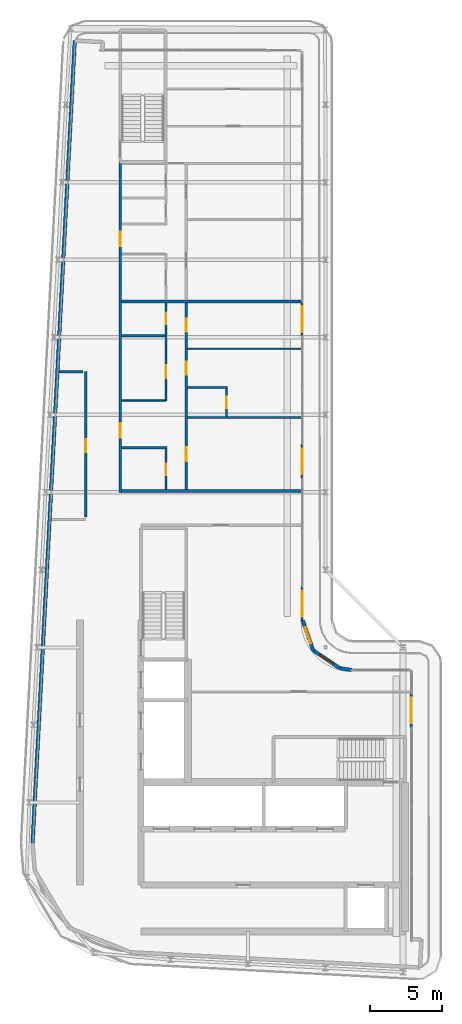
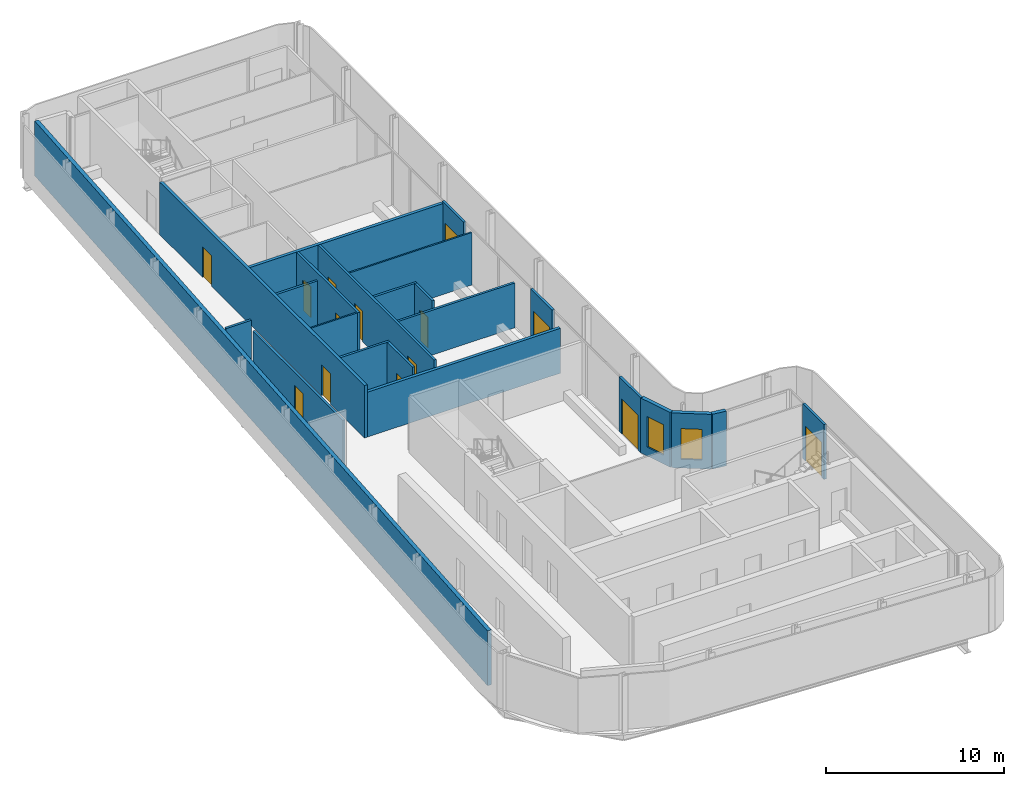
# One storey, part 10 of 17: 23 walls, 14 doors, 2 windows, 16 openings.
"""IFC4 building model written with IfcOpenShell, lengths in metres."""

import ifcopenshell
import ifcopenshell.guid

model = None  # the IFC model being written
_history = None  # IfcOwnerHistory: only IFC2X3 demands one
_inside = {}  # id of a spatial element -> (the spatial element, [elements in it])
_under = {}  # id of a project, library or spatial element -> (it, [spatial elements below it])
_declared = {}  # id of a project -> (the project, [libraries it declares])
_typed = {}  # id of a type object -> (the type object, [elements of that type])
_made_of = {}  # id of a material, layer set ... -> (it, [elements and type objects made of it])


def new_model(schema):
    """Start an empty IFC model of exactly this schema.

    Asked for "IFC4X3", IfcOpenShell would pick the latest addendum, in which some entities
    have other attributes; the version numbers below select the first issue.
    IFC2X3 requires an IfcOwnerHistory on every rooted entity: one is made here for all.
    """
    global model, _history
    if schema == "IFC4X3":
        model = ifcopenshell.file(schema_version=(4, 3, 0, 0))
    else:
        model = ifcopenshell.file(schema=schema)
    _inside.clear()
    _under.clear()
    _declared.clear()
    _typed.clear()
    _made_of.clear()
    _history = None
    if model.schema == "IFC2X3":
        org = make("IfcOrganization", Name="unknown")
        user = make(
            "IfcPersonAndOrganization",
            ThePerson=make("IfcPerson", FamilyName="unknown"),
            TheOrganization=org,
        )
        app = make(
            "IfcApplication",
            ApplicationDeveloper=org,
            Version="unknown",
            ApplicationFullName="unknown",
            ApplicationIdentifier="unknown",
        )
        _history = make(
            "IfcOwnerHistory",
            OwningUser=user,
            OwningApplication=app,
            ChangeAction="ADDED",
            CreationDate=0,
        )
    return model


def make(cls, **values):
    """One entity of the class cls with the attributes given. An attribute that is None is left unset."""
    return model.create_entity(
        cls, **{name: value for name, value in values.items() if value is not None}
    )


def rooted(cls, **values):
    """An entity with a GlobalId (a new one), such as an element, a storey or a relation."""
    return make(cls, GlobalId=ifcopenshell.guid.new(), OwnerHistory=_history, **values)


def si_unit(unit_type, name, prefix=None):
    """IfcSIUnit, for example si_unit("LENGTHUNIT", "METRE", prefix="MILLI")."""
    return make("IfcSIUnit", UnitType=unit_type, Prefix=prefix, Name=name)


def assignment(units):
    """IfcUnitAssignment: the units of a project."""
    return None if units is None else make("IfcUnitAssignment", Units=units)


def point(xyz):
    """IfcCartesianPoint."""
    return None if xyz is None else make("IfcCartesianPoint", Coordinates=xyz)


def direction(xyz):
    """IfcDirection."""
    return None if xyz is None else make("IfcDirection", DirectionRatios=xyz)


def frame(location, z_axis=None, x_axis=None):
    """IfcAxis2Placement3D, a coordinate frame: its origin and axes. An axis left out is left unset."""
    return make(
        "IfcAxis2Placement3D",
        Location=point(location),
        Axis=direction(z_axis),
        RefDirection=direction(x_axis),
    )


def frame_2d(location, x_axis=None):
    """IfcAxis2Placement2D, a coordinate frame in the plane: its origin and x axis."""
    return make(
        "IfcAxis2Placement2D", Location=point(location), RefDirection=direction(x_axis)
    )


def origin():
    """The frame at (0, 0, 0) with its axes left unset."""
    return frame((0.0, 0.0, 0.0))


def place(relative_to, where):
    """IfcLocalPlacement: puts the frame where relative to a parent placement (None: the world)."""
    return make(
        "IfcLocalPlacement", PlacementRelTo=relative_to, RelativePlacement=where
    )


def context(
    kind, dimensions, precision=None, world=None, true_north=None, identifier=None
):
    """IfcGeometricRepresentationContext, for example the 3D "Model" context."""
    return make(
        "IfcGeometricRepresentationContext",
        ContextIdentifier=identifier,
        ContextType=kind,
        CoordinateSpaceDimension=dimensions,
        Precision=precision,
        WorldCoordinateSystem=world,
        TrueNorth=true_north,
    )


def subcontext(parent, identifier, kind, view, scale=None):
    """IfcGeometricRepresentationSubContext, for example "Body" below "Model"."""
    return make(
        "IfcGeometricRepresentationSubContext",
        ContextIdentifier=identifier,
        ContextType=kind,
        ParentContext=parent,
        TargetScale=scale,
        TargetView=view,
    )


def project(units=None, contexts=None):
    """IfcProject with its units and contexts."""
    return rooted(
        "IfcProject",
        Name="project",
        RepresentationContexts=contexts,
        UnitsInContext=assignment(units),
    )


def spatial(cls, under=None, at=None, **own):
    """A site, building, storey or space (cls), placed at a placement, below another one or the project."""
    s = rooted(cls, ObjectPlacement=at, **own)
    if under is not None:
        _under.setdefault(under.id(), (under, []))[1].append(s)
    return s


def profile(cls, at=None, kind="AREA", **sizes):
    """A parametric profile (cls). Its sizes go by their IFC names, for example OverallWidth=200.0."""
    return make(cls, ProfileType=kind, Position=at, **sizes)


def rectangle(**sizes):
    """IfcRectangleProfileDef."""
    return profile("IfcRectangleProfileDef", **sizes)


def extrude(swept, where, along, depth):
    """IfcExtrudedAreaSolid: the profile swept, set in the frame where, extruded along a direction by depth."""
    return make(
        "IfcExtrudedAreaSolid",
        SweptArea=swept,
        Position=where,
        ExtrudedDirection=direction(along),
        Depth=depth,
    )


def shape(context_of_items, identifier, shape_type, items):
    """IfcShapeRepresentation: the items that make up one representation, for example the "Body"."""
    return make(
        "IfcShapeRepresentation",
        ContextOfItems=context_of_items,
        RepresentationIdentifier=identifier,
        RepresentationType=shape_type,
        Items=items,
    )


def source(mapping_origin, context_of_items, identifier, shape_type, items):
    """IfcRepresentationMap: a shape defined once, which mapped items show again and again."""
    return make(
        "IfcRepresentationMap",
        MappingOrigin=mapping_origin,
        MappedRepresentation=shape(context_of_items, identifier, shape_type, items),
    )


def transform(
    local_origin,
    x_axis=None,
    y_axis=None,
    z_axis=None,
    scale=None,
    scale2=None,
    scale3=None,
    uniform=True,
):
    """IfcCartesianTransformationOperator3D, or its non-uniform kind. x_axis, y_axis, z_axis: its Axis1, 2, 3."""
    if uniform:
        return make(
            "IfcCartesianTransformationOperator3D",
            Axis1=direction(x_axis),
            Axis2=direction(y_axis),
            LocalOrigin=point(local_origin),
            Scale=scale,
            Axis3=direction(z_axis),
        )
    return make(
        "IfcCartesianTransformationOperator3DnonUniform",
        Axis1=direction(x_axis),
        Axis2=direction(y_axis),
        LocalOrigin=point(local_origin),
        Scale=scale,
        Axis3=direction(z_axis),
        Scale2=scale2,
        Scale3=scale3,
    )


def mapped(mapping_source, mapping_target):
    """IfcMappedItem: shows the shape of a source again, moved by a transform."""
    return make(
        "IfcMappedItem", MappingSource=mapping_source, MappingTarget=mapping_target
    )


def material(Name=None, Category=None):
    """IfcMaterial."""
    return make("IfcMaterial", Name=Name, Category=Category)


def layer(
    of_material, thickness, ventilated=None, Name=None, Category=None, Priority=None
):
    """IfcMaterialLayer: one layer of a wall or slab, of a material (None: an air gap)."""
    return make(
        "IfcMaterialLayer",
        Material=of_material,
        LayerThickness=thickness,
        IsVentilated=ventilated,
        Name=Name,
        Category=Category,
        Priority=Priority,
    )


def layer_set(layers, Name=None):
    """IfcMaterialLayerSet."""
    return make("IfcMaterialLayerSet", MaterialLayers=layers, LayerSetName=Name)


def made_of(thing, what):
    """Note that an element or type object is made of a material, layer set ...; save() writes the relation."""
    if what is not None:
        _made_of.setdefault(what.id(), (what, []))[1].append(thing)
    return thing


def type_object(cls, material=None, **own):
    """A type object (cls), such as IfcWallType, which elements share."""
    return made_of(rooted(cls, **own), material)


def element(
    cls,
    number,
    at=None,
    inside=None,
    cuts=None,
    type_object=None,
    material=None,
    context=None,
    identifier="Body",
    shape_type=None,
    held_by="IfcProductDefinitionShape",
    body=None,
    shapes=None,
    **own,
):
    """One element of the class cls, such as IfcWall. Its Tag is "e" and its number.

    at: its placement. inside: the storey or other place that contains it. cuts: it is an
    opening in that element (IfcRelVoidsElement). A single representation is given by context,
    identifier, shape_type and body (its items); several are given by shapes. held_by: the class
    of the entity that holds the representations. save() writes the other relations.
    """
    e = rooted(cls, Tag="e%d" % number, ObjectPlacement=at, **own)
    if body is not None:
        shapes = [shape(context, identifier, shape_type, body)]
    if shapes is not None:
        e.Representation = make(held_by, Representations=shapes)
    if inside is not None:
        _inside.setdefault(inside.id(), (inside, []))[1].append(e)
    if cuts is not None:
        rooted(
            "IfcRelVoidsElement", RelatingBuildingElement=cuts, RelatedOpeningElement=e
        )
    if type_object is not None:
        _typed.setdefault(type_object.id(), (type_object, []))[1].append(e)
    return made_of(e, material)


def fill(opening, filler):
    """IfcRelFillsElement: the door or window that sits in an opening."""
    return rooted(
        "IfcRelFillsElement",
        RelatingOpeningElement=opening,
        RelatedBuildingElement=filler,
    )


def aggregate(whole, parts):
    """IfcRelAggregates: a whole, such as a stair, and the parts it consists of."""
    return rooted("IfcRelAggregates", RelatingObject=whole, RelatedObjects=parts)


def save(model, path):
    """Write the relations noted so far, then the file.

    IfcRelAggregates (storeys below a building ...), IfcRelContainedInSpatialStructure (elements
    in a storey), IfcRelDefinesByType, IfcRelAssociatesMaterial and IfcRelDeclares: one each for
    every whole, place, type object, material and project.
    """
    for whole, parts in _under.values():
        aggregate(whole, parts)
    for where, things in _inside.values():
        rooted(
            "IfcRelContainedInSpatialStructure",
            RelatedElements=things,
            RelatingStructure=where,
        )
    for kind, things in _typed.values():
        rooted("IfcRelDefinesByType", RelatedObjects=things, RelatingType=kind)
    for what, things in _made_of.values():
        rooted("IfcRelAssociatesMaterial", RelatedObjects=things, RelatingMaterial=what)
    for by, libraries in _declared.values():
        rooted("IfcRelDeclares", RelatingContext=by, RelatedDefinitions=libraries)
    model.write(path)


model = new_model("IFC4")

# Units and contexts
model_context = context("Model", 3, precision=1e-05, world=origin(), true_north=direction((0.0, 1.0)))
body_context = subcontext(model_context, "Body", "Model", "MODEL_VIEW")
ifc_project = project(units=[si_unit("LENGTHUNIT", "METRE"), si_unit("AREAUNIT", "SQUARE_METRE"), si_unit("VOLUMEUNIT", "CUBIC_METRE"), si_unit("PLANEANGLEUNIT", "RADIAN"), si_unit("MASSUNIT", "GRAM", prefix="KILO")], contexts=[model_context])

# Site, building, storey
site_placement = place(None, origin())
site = spatial("IfcSite", under=ifc_project, at=site_placement, CompositionType="ELEMENT")
building_placement = place(site_placement, origin())
building = spatial("IfcBuilding", under=site, at=building_placement, Name="Kheshtan School and Residences Tower", CompositionType="ELEMENT")
storey_placement = place(building_placement, frame((0.0, 0.0, 342.199951171875)))
storey = spatial("IfcBuildingStorey", under=building, at=storey_placement, Name="L80", CompositionType="ELEMENT", Elevation=342.199951171875)

# Wall, openings, doors
ifc_material_1 = material(Name="Gypsum board on steel studs with fire boards", Category="steel")
ifc_layer_1 = layer(ifc_material_1, 0.199951171875)
ifc_layer_set_1 = layer_set([ifc_layer_1], Name="Corridor wall 200")
wall_type_1 = type_object("IfcWallType", Name="Corridor wall 200", PredefinedType="PARTITIONING", material=ifc_layer_set_1)
wall_1_placement = place(storey_placement, frame((33.300048828125, 56.39990234375, 0.0), z_axis=(0.0, 0.0, 1.0), x_axis=(0.0, 1.0, 0.0)))
wall_1 = element("IfcWall", 1, at=wall_1_placement, inside=storey, type_object=wall_type_1, Name="Partition L80-001", PredefinedType="PARTITIONING", context=body_context, shape_type="SweptSolid", body=[
    extrude(rectangle(XDim=22.97509765625, YDim=0.199951171875, at=frame_2d((11.487548828125, 0.0))), origin(), (0.0, 0.0, 1.0), 3.60009765625),
])
opening_1_placement = place(wall_1_placement, frame((3.800048828125, 0.0, 0.0)))
opening_1 = element("IfcOpeningElement", 2, at=opening_1_placement, cuts=wall_1, Name="Opening D79-004", PredefinedType="OPENING", context=body_context, shape_type="SweptSolid", body=[
    extrude(rectangle(XDim=1.0, YDim=2.10009765625, at=frame_2d((0.5, 1.050048828125))), frame((0.0, 0.10986328125, 0.0), z_axis=(0.0, -1.0, 0.0), x_axis=(1.0, 0.0, 0.0)), (0.0, 0.0, 1.0), 0.219970703125),
])
opening_2_placement = place(wall_1_placement, frame((17.14990234375, 0.0, 0.0)))
opening_2 = element("IfcOpeningElement", 3, at=opening_2_placement, cuts=wall_1, Name="Opening D79-011", PredefinedType="OPENING", context=body_context, shape_type="SweptSolid", body=[
    extrude(rectangle(XDim=1.0, YDim=2.10009765625, at=frame_2d((0.5, 1.050048828125))), frame((0.0, 0.10986328125, 0.0), z_axis=(0.0, -1.0, 0.0), x_axis=(1.0, 0.0, 0.0)), (0.0, 0.0, 1.0), 0.219970703125),
])
ifc_material_2 = material(Name="Steel-framed fire-resisting door leaf", Category="steel")
door_type_1 = type_object("IfcDoorType", Name="Fire door FD30S 1000 x 2100", OperationType="SINGLE_SWING_LEFT", PredefinedType="DOOR", material=ifc_material_2)
shared_shape_1 = source(origin(), body_context, "Body", "SweptSolid", [
    extrude(rectangle(XDim=1.0, YDim=2.10009765625, at=frame_2d((0.5, 1.050048828125))), frame((0.0, 0.02490234375, 0.0), z_axis=(0.0, -1.0, 0.0), x_axis=(1.0, 0.0, 0.0)), (0.0, 0.0, 1.0), 0.050048828125),
])
door_1_placement = place(opening_1_placement, origin())
door_1 = element("IfcDoor", 4, at=door_1_placement, inside=storey, type_object=door_type_1, Name="Door D79-004", OperationType="SINGLE_SWING_RIGHT", OverallHeight=2.10009765625, OverallWidth=1.0, PredefinedType="DOOR", context=body_context, shape_type="MappedRepresentation", body=[
    mapped(shared_shape_1, transform((0.0, 0.0, 0.0), x_axis=(1.0, 0.0, 0.0), y_axis=(0.0, 1.0, 0.0), z_axis=(0.0, 0.0, 1.0), scale=1.0)),
])
fill(opening_1, door_1)
door_2_placement = place(opening_2_placement, origin())
door_2 = element("IfcDoor", 5, at=door_2_placement, inside=storey, type_object=door_type_1, Name="Door D79-011", OperationType="SINGLE_SWING_LEFT", OverallHeight=2.10009765625, OverallWidth=1.0, PredefinedType="DOOR", context=body_context, shape_type="MappedRepresentation", body=[
    mapped(shared_shape_1, transform((0.0, 0.0, 0.0), x_axis=(1.0, 0.0, 0.0), y_axis=(0.0, 1.0, 0.0), z_axis=(0.0, 0.0, 1.0), scale=1.0)),
])
fill(opening_2, door_2)

# Wall
wall_2_placement = place(storey_placement, frame((33.39990234375, 56.5, 0.0), z_axis=(0.0, 0.0, 1.0), x_axis=(1.0, 0.0, 0.0)))
element("IfcWall", 6, at=wall_2_placement, inside=storey, type_object=wall_type_1, Name="Partition L80-002", PredefinedType="PARTITIONING", context=body_context, shape_type="SweptSolid", body=[
    extrude(rectangle(XDim=12.5, YDim=0.199951171875, at=frame_2d((6.25, 0.0))), origin(), (0.0, 0.0, 1.0), 3.072021484375),
])

# Wall, opening, window
ifc_material_3 = material(Name="Concrete C40/50 with ceramic cladding and mineral wool insulation", Category="concrete")
ifc_layer_2 = layer(ifc_material_3, 0.25)
ifc_layer_set_2 = layer_set([ifc_layer_2], Name="External wall 250 ceramic clad")
wall_type_2 = type_object("IfcWallType", Name="External wall 250 ceramic clad", PredefinedType="SOLIDWALL", material=ifc_layer_set_2)
wall_3_placement = place(storey_placement, frame((46.01806640625, 47.470947265625, 0.0), z_axis=(0.0, 0.0, 1.0), x_axis=(0.328791208903, -0.944402637093, 0.0)))
wall_3 = element("IfcWall", 7, at=wall_3_placement, inside=storey, type_object=wall_type_2, Name="External wall L80 5", PredefinedType="SOLIDWALL", context=body_context, shape_type="SweptSolid", body=[
    extrude(rectangle(XDim=2.20458984375, YDim=0.25, at=frame_2d((1.102294921875, 0.0))), origin(), (0.0, 0.0, 1.0), 3.75),
])
opening_3_placement = place(wall_3_placement, frame((0.5029296875, 0.0, 0.60009765625)))
opening_3 = element("IfcOpeningElement", 8, at=opening_3_placement, cuts=wall_3, Name="Opening WN-E", PredefinedType="OPENING", context=body_context, shape_type="SweptSolid", body=[
    extrude(rectangle(XDim=1.199951171875, YDim=2.10009765625, at=frame_2d((0.60009765625, 1.050048828125))), frame((0.0, 0.135009765625, 0.0), z_axis=(0.0, -1.0, 0.0), x_axis=(1.0, 0.0, 0.0)), (0.0, 0.0, 1.0), 0.27001953125),
])
ifc_material_4 = material(Name="Clear low-e glass in thermally broken aluminium frame", Category="aluminium")
window_type = type_object("IfcWindowType", Name="Window WN-E", PartitioningType="SINGLE_PANEL", PredefinedType="WINDOW", material=ifc_material_4)
shared_shape_2 = source(origin(), body_context, "Body", "SweptSolid", [
    extrude(rectangle(XDim=1.199951171875, YDim=2.10009765625, at=frame_2d((0.60009765625, 1.050048828125))), frame((0.0, 0.030029296875, 0.0), z_axis=(0.0, -1.0, 0.0), x_axis=(1.0, 0.0, 0.0)), (0.0, 0.0, 1.0), 0.06005859375),
])
window_1_placement = place(opening_3_placement, origin())
window_1 = element("IfcWindow", 9, at=window_1_placement, inside=storey, type_object=window_type, Name="Window L80 5", OverallHeight=2.10009765625, OverallWidth=1.199951171875, PartitioningType="SINGLE_PANEL", PredefinedType="WINDOW", context=body_context, shape_type="MappedRepresentation", body=[
    mapped(shared_shape_2, transform((0.0, 0.0, 0.0), x_axis=(1.0, 0.0, 0.0), y_axis=(0.0, 1.0, 0.0), z_axis=(0.0, 0.0, 1.0), scale=1.0)),
])
fill(opening_3, window_1)

wall_4_placement = place(storey_placement, frame((46.742919921875, 45.388916015625, 0.0), z_axis=(0.0, 0.0, 1.0), x_axis=(0.831449265529, -0.555600682912, 0.0)))
wall_4 = element("IfcWall", 10, at=wall_4_placement, inside=storey, type_object=wall_type_2, Name="External wall L80 6", PredefinedType="SOLIDWALL", context=body_context, shape_type="SweptSolid", body=[
    extrude(rectangle(XDim=2.25146484375, YDim=0.25, at=frame_2d((1.125732421875, 0.0))), origin(), (0.0, 0.0, 1.0), 3.75),
])
opening_4_placement = place(wall_4_placement, frame((0.52490234375, 0.0, 0.60009765625)))
opening_4 = element("IfcOpeningElement", 11, at=opening_4_placement, cuts=wall_4, Name="Opening WN-E", PredefinedType="OPENING", context=body_context, shape_type="SweptSolid", body=[
    extrude(rectangle(XDim=1.199951171875, YDim=2.10009765625, at=frame_2d((0.60009765625, 1.050048828125))), frame((0.0, 0.135009765625, 0.0), z_axis=(0.0, -1.0, 0.0), x_axis=(1.0, 0.0, 0.0)), (0.0, 0.0, 1.0), 0.27001953125),
])
window_2_placement = place(opening_4_placement, origin())
window_2 = element("IfcWindow", 12, at=window_2_placement, inside=storey, type_object=window_type, Name="Window L80 6", OverallHeight=2.10009765625, OverallWidth=1.199951171875, PartitioningType="SINGLE_PANEL", PredefinedType="WINDOW", context=body_context, shape_type="MappedRepresentation", body=[
    mapped(shared_shape_2, transform((0.0, 0.0, 0.0), x_axis=(1.0, 0.0, 0.0), y_axis=(0.0, 1.0, 0.0), z_axis=(0.0, 0.0, 1.0), scale=1.0)),
])
fill(opening_4, window_2)

# Walls
wall_5_placement = place(storey_placement, frame((48.614990234375, 44.137939453125, 0.0), z_axis=(0.0, 0.0, 1.0), x_axis=(0.990741504246, -0.135761819977, 0.0)))
element("IfcWall", 13, at=wall_5_placement, inside=storey, type_object=wall_type_2, Name="External wall L80 7", PredefinedType="SOLIDWALL", context=body_context, shape_type="SweptSolid", body=[
    extrude(rectangle(XDim=0.83984375, YDim=0.25, at=frame_2d((0.419921875, 0.0))), origin(), (0.0, 0.0, 1.0), 3.75),
])
wall_6_placement = place(storey_placement, frame((27.195068359375, 31.968994140625, 0.0), z_axis=(0.0, 0.0, 1.0), x_axis=(0.052559748861, 0.998617781135, 0.0)))
element("IfcWall", 14, at=wall_6_placement, inside=storey, type_object=wall_type_2, Name="External wall L80 16", PredefinedType="SOLIDWALL", context=body_context, shape_type="SweptSolid", body=[
    extrude(rectangle(XDim=55.972412109375, YDim=0.25, at=frame_2d((27.986328125, 0.0))), origin(), (0.0, 0.0, 1.0), 3.75),
])

# Wall, opening, door
ifc_material_5 = material(Name="Aluminium frame wall with insulated infill", Category="aluminium")
ifc_layer_3 = layer(ifc_material_5, 0.14990234375)
ifc_layer_set_3 = layer_set([ifc_layer_3], Name="Glazing frame wall 150")
wall_type_3 = type_object("IfcWallType", Name="Glazing frame wall 150", PredefinedType="SOLIDWALL", material=ifc_layer_set_3)
wall_7_placement = place(storey_placement, frame((45.97509765625, 69.6650390625, 0.0), z_axis=(0.0, 0.0, 1.0), x_axis=(0.0, -1.0, 0.0)))
wall_7 = element("IfcWall", 15, at=wall_7_placement, inside=storey, type_object=wall_type_3, Name="Balcony door wall L80 4.2", PredefinedType="SOLIDWALL", context=body_context, shape_type="SweptSolid", body=[
    extrude(rectangle(XDim=2.400146484375, YDim=0.14990234375, at=frame_2d((1.2001953125, 0.0))), origin(), (0.0, 0.0, 1.0), 3.75),
])
opening_5_placement = place(wall_7_placement, frame((0.300048828125, 0.0, 0.0)))
opening_5 = element("IfcOpeningElement", 16, at=opening_5_placement, cuts=wall_7, Name="Opening BD", PredefinedType="OPENING", context=body_context, shape_type="SweptSolid", body=[
    extrude(rectangle(XDim=1.800048828125, YDim=2.39990234375, at=frame_2d((0.89990234375, 1.199951171875))), frame((0.0, 0.0849609375, 0.0), z_axis=(0.0, -1.0, 0.0), x_axis=(1.0, 0.0, 0.0)), (0.0, 0.0, 1.0), 0.169921875),
])
door_type_2 = type_object("IfcDoorType", Name="Balcony sliding door", OperationType="SLIDING_TO_LEFT", PredefinedType="DOOR", material=ifc_material_4)
shared_shape_3 = source(origin(), body_context, "Body", "SweptSolid", [
    extrude(rectangle(XDim=1.800048828125, YDim=2.39990234375, at=frame_2d((0.89990234375, 1.199951171875))), frame((0.0, 0.02490234375, 0.0), z_axis=(0.0, -1.0, 0.0), x_axis=(1.0, 0.0, 0.0)), (0.0, 0.0, 1.0), 0.050048828125),
])
door_3_placement = place(opening_5_placement, origin())
door_3 = element("IfcDoor", 17, at=door_3_placement, inside=storey, type_object=door_type_2, Name="Balcony door L80 4.2", OperationType="SLIDING_TO_LEFT", OverallHeight=2.39990234375, OverallWidth=1.800048828125, PredefinedType="DOOR", context=body_context, shape_type="MappedRepresentation", body=[
    mapped(shared_shape_3, transform((0.0, 0.0, 0.0), x_axis=(1.0, 0.0, 0.0), y_axis=(0.0, 1.0, 0.0), z_axis=(0.0, 0.0, 1.0), scale=1.0)),
])
fill(opening_5, door_3)

wall_8_placement = place(storey_placement, frame((45.97509765625, 59.748046875, 0.0), z_axis=(0.0, 0.0, 1.0), x_axis=(0.0, -1.0, 0.0)))
wall_8 = element("IfcWall", 18, at=wall_8_placement, inside=storey, type_object=wall_type_3, Name="Balcony door wall L80 4.3", PredefinedType="SOLIDWALL", context=body_context, shape_type="SweptSolid", body=[
    extrude(rectangle(XDim=2.401123046875, YDim=0.14990234375, at=frame_2d((1.20068359375, 0.0))), origin(), (0.0, 0.0, 1.0), 3.75),
])
opening_6_placement = place(wall_8_placement, frame((0.300048828125, 0.0, 0.0)))
opening_6 = element("IfcOpeningElement", 19, at=opening_6_placement, cuts=wall_8, Name="Opening BD", PredefinedType="OPENING", context=body_context, shape_type="SweptSolid", body=[
    extrude(rectangle(XDim=1.800048828125, YDim=2.39990234375, at=frame_2d((0.89990234375, 1.199951171875))), frame((0.0, 0.0849609375, 0.0), z_axis=(0.0, -1.0, 0.0), x_axis=(1.0, 0.0, 0.0)), (0.0, 0.0, 1.0), 0.169921875),
])
door_4_placement = place(opening_6_placement, origin())
door_4 = element("IfcDoor", 20, at=door_4_placement, inside=storey, type_object=door_type_2, Name="Balcony door L80 4.3", OperationType="SLIDING_TO_LEFT", OverallHeight=2.39990234375, OverallWidth=1.800048828125, PredefinedType="DOOR", context=body_context, shape_type="MappedRepresentation", body=[
    mapped(shared_shape_3, transform((0.0, 0.0, 0.0), x_axis=(1.0, 0.0, 0.0), y_axis=(0.0, 1.0, 0.0), z_axis=(0.0, 0.0, 1.0), scale=1.0)),
])
fill(opening_6, door_4)

wall_9_placement = place(storey_placement, frame((45.97509765625, 49.830078125, 0.0), z_axis=(0.0, 0.0, 1.0), x_axis=(0.0, -1.0, 0.0)))
wall_9 = element("IfcWall", 21, at=wall_9_placement, inside=storey, type_object=wall_type_3, Name="Balcony door wall L80 4.4", PredefinedType="SOLIDWALL", context=body_context, shape_type="SweptSolid", body=[
    extrude(rectangle(XDim=2.400146484375, YDim=0.14990234375, at=frame_2d((1.2001953125, 0.0))), origin(), (0.0, 0.0, 1.0), 3.75),
])
opening_7_placement = place(wall_9_placement, frame((0.300048828125, 0.0, 0.0)))
opening_7 = element("IfcOpeningElement", 22, at=opening_7_placement, cuts=wall_9, Name="Opening BD", PredefinedType="OPENING", context=body_context, shape_type="SweptSolid", body=[
    extrude(rectangle(XDim=1.800048828125, YDim=2.39990234375, at=frame_2d((0.89990234375, 1.199951171875))), frame((0.0, 0.0849609375, 0.0), z_axis=(0.0, -1.0, 0.0), x_axis=(1.0, 0.0, 0.0)), (0.0, 0.0, 1.0), 0.169921875),
])
door_5_placement = place(opening_7_placement, origin())
door_5 = element("IfcDoor", 23, at=door_5_placement, inside=storey, type_object=door_type_2, Name="Balcony door L80 4.4", OperationType="SLIDING_TO_LEFT", OverallHeight=2.39990234375, OverallWidth=1.800048828125, PredefinedType="DOOR", context=body_context, shape_type="MappedRepresentation", body=[
    mapped(shared_shape_3, transform((0.0, 0.0, 0.0), x_axis=(1.0, 0.0, 0.0), y_axis=(0.0, 1.0, 0.0), z_axis=(0.0, 0.0, 1.0), scale=1.0)),
])
fill(opening_7, door_5)

wall_10_placement = place(storey_placement, frame((53.574951171875, 42.39990234375, 0.0), z_axis=(0.0, 0.0, 1.0), x_axis=(0.0, -1.0, 0.0)))
wall_10 = element("IfcWall", 24, at=wall_10_placement, inside=storey, type_object=wall_type_3, Name="Balcony door wall L80 9.1", PredefinedType="SOLIDWALL", context=body_context, shape_type="SweptSolid", body=[
    extrude(rectangle(XDim=2.39990234375, YDim=0.14990234375, at=frame_2d((1.199951171875, 0.0))), origin(), (0.0, 0.0, 1.0), 3.75),
])
opening_8_placement = place(wall_10_placement, frame((0.300048828125, 0.0, 0.0)))
opening_8 = element("IfcOpeningElement", 25, at=opening_8_placement, cuts=wall_10, Name="Opening BD", PredefinedType="OPENING", context=body_context, shape_type="SweptSolid", body=[
    extrude(rectangle(XDim=1.800048828125, YDim=2.39990234375, at=frame_2d((0.89990234375, 1.199951171875))), frame((0.0, 0.0849609375, 0.0), z_axis=(0.0, -1.0, 0.0), x_axis=(1.0, 0.0, 0.0)), (0.0, 0.0, 1.0), 0.169921875),
])
door_6_placement = place(opening_8_placement, origin())
door_6 = element("IfcDoor", 26, at=door_6_placement, inside=storey, type_object=door_type_2, Name="Balcony door L80 9.1", OperationType="SLIDING_TO_LEFT", OverallHeight=2.39990234375, OverallWidth=1.800048828125, PredefinedType="DOOR", context=body_context, shape_type="MappedRepresentation", body=[
    mapped(shared_shape_3, transform((0.0, 0.0, 0.0), x_axis=(1.0, 0.0, 0.0), y_axis=(0.0, 1.0, 0.0), z_axis=(0.0, 0.0, 1.0), scale=1.0)),
])
fill(opening_8, door_6)

# Walls
ifc_material_6 = material(Name="Gypsum board on steel studs", Category="steel")
ifc_layer_4 = layer(ifc_material_6, 0.10009765625)
ifc_layer_set_4 = layer_set([ifc_layer_4], Name="Gypsum partition 100")
wall_type_4 = type_object("IfcWallType", Name="Gypsum partition 100", PredefinedType="PARTITIONING", material=ifc_layer_set_4)
wall_11_placement = place(storey_placement, frame((33.39990234375, 62.800048828125, 0.0), z_axis=(0.0, 0.0, 1.0), x_axis=(1.0, 0.0, 0.0)))
element("IfcWall", 27, at=wall_11_placement, inside=storey, type_object=wall_type_4, Name="Partition L80-004", PredefinedType="PARTITIONING", context=body_context, shape_type="SweptSolid", body=[
    extrude(rectangle(XDim=3.025146484375, YDim=0.10009765625, at=frame_2d((1.5126953125, 0.0))), origin(), (0.0, 0.0, 1.0), 3.60009765625),
])
wall_12_placement = place(storey_placement, frame((37.97509765625, 66.39990234375, 0.0), z_axis=(0.0, 0.0, 1.0), x_axis=(1.0, 0.0, 0.0)))
element("IfcWall", 28, at=wall_12_placement, inside=storey, type_object=wall_type_4, Name="Partition L80-022", PredefinedType="PARTITIONING", context=body_context, shape_type="SweptSolid", body=[
    extrude(rectangle(XDim=7.9248046875, YDim=0.10009765625, at=frame_2d((3.96240234375, 0.0))), origin(), (0.0, 0.0, 1.0), 3.60009765625),
])

# Wall, opening, door
ifc_material_7 = material(Name="Fire-board shaft wall system")
ifc_layer_5 = layer(ifc_material_7, 0.14990234375)
ifc_layer_set_5 = layer_set([ifc_layer_5], Name="Service room wall 150")
wall_type_5 = type_object("IfcWallType", Name="Service room wall 150", PredefinedType="PARTITIONING", material=ifc_layer_set_5)
wall_13_placement = place(storey_placement, frame((30.89990234375, 54.695068359375, 0.0), z_axis=(0.0, 0.0, 1.0), x_axis=(0.0, 1.0, 0.0)))
wall_13 = element("IfcWall", 29, at=wall_13_placement, inside=storey, type_object=wall_type_5, Name="Service room wall", PredefinedType="PARTITIONING", context=body_context, shape_type="SweptSolid", body=[
    extrude(rectangle(XDim=10.10498046875, YDim=0.14990234375, at=frame_2d((5.052490234375, 0.0))), origin(), (0.0, 0.0, 1.0), 3.072021484375),
])
opening_9_placement = place(wall_13_placement, frame((4.5048828125, 0.0, 0.0)))
opening_9 = element("IfcOpeningElement", 30, at=opening_9_placement, cuts=wall_13, Name="Opening SR90", PredefinedType="OPENING", context=body_context, shape_type="SweptSolid", body=[
    extrude(rectangle(XDim=0.89990234375, YDim=2.199951171875, at=frame_2d((0.449951171875, 1.10009765625))), frame((0.0, 0.0849609375, 0.0), z_axis=(0.0, -1.0, 0.0), x_axis=(1.0, 0.0, 0.0)), (0.0, 0.0, 1.0), 0.169921875),
])
ifc_material_8 = material(Name="Steel door leaf, galvanised", Category="steel")
door_type_3 = type_object("IfcDoorType", Name="Service room door 900 steel 90 min", OperationType="SINGLE_SWING_LEFT", PredefinedType="DOOR", material=ifc_material_8)
shared_shape_4 = source(origin(), body_context, "Body", "SweptSolid", [
    extrude(rectangle(XDim=0.89990234375, YDim=2.199951171875, at=frame_2d((0.449951171875, 1.10009765625))), frame((0.0, 0.02490234375, 0.0), z_axis=(0.0, -1.0, 0.0), x_axis=(1.0, 0.0, 0.0)), (0.0, 0.0, 1.0), 0.050048828125),
])
door_7_placement = place(opening_9_placement, origin())
door_7 = element("IfcDoor", 31, at=door_7_placement, inside=storey, type_object=door_type_3, Name="Service room door", OperationType="SINGLE_SWING_LEFT", OverallHeight=2.199951171875, OverallWidth=0.89990234375, PredefinedType="DOOR", context=body_context, shape_type="MappedRepresentation", body=[
    mapped(shared_shape_4, transform((0.0, 0.0, 0.0), x_axis=(1.0, 0.0, 0.0), y_axis=(0.0, 1.0, 0.0), z_axis=(0.0, 0.0, 1.0), scale=1.0)),
])
fill(opening_9, door_7)

# Walls
wall_14_placement = place(storey_placement, frame((29.051025390625, 64.800048828125, 0.0), z_axis=(0.0, 0.0, 1.0), x_axis=(1.0, 0.0, 0.0)))
element("IfcWall", 32, at=wall_14_placement, inside=storey, type_object=wall_type_5, Name="Service room wall", PredefinedType="PARTITIONING", context=body_context, shape_type="SweptSolid", body=[
    extrude(rectangle(XDim=1.654052734375, YDim=0.14990234375, at=frame_2d((0.8271484375, 0.0))), origin(), (0.0, 0.0, 1.0), 3.900146484375),
])
ifc_material_9 = material(Name="Twin gypsum board on steel studs with mineral wool", Category="steel")
ifc_layer_6 = layer(ifc_material_9, 0.199951171875)
ifc_layer_set_6 = layer_set([ifc_layer_6], Name="Unit demising wall 200")
wall_type_6 = type_object("IfcWallType", Name="Unit demising wall 200", PredefinedType="PARTITIONING", material=ifc_layer_set_6)
wall_15_placement = place(storey_placement, frame((33.39990234375, 69.699951171875, 0.0), z_axis=(0.0, 0.0, 1.0), x_axis=(1.0, 0.0, 0.0)))
element("IfcWall", 33, at=wall_15_placement, inside=storey, type_object=wall_type_6, Name="Partition L80-006", PredefinedType="PARTITIONING", context=body_context, shape_type="SweptSolid", body=[
    extrude(rectangle(XDim=12.5, YDim=0.199951171875, at=frame_2d((6.25, 0.0))), origin(), (0.0, 0.0, 1.0), 3.60009765625),
])
ifc_material_10 = material(Name="Moisture-resistant gypsum board on steel studs", Category="steel")
ifc_layer_7 = layer(ifc_material_10, 0.14990234375)
ifc_layer_set_7 = layer_set([ifc_layer_7], Name="Wet-room partition 150")
wall_type_7 = type_object("IfcWallType", Name="Wet-room partition 150", PredefinedType="PARTITIONING", material=ifc_layer_set_7)
wall_16_placement = place(storey_placement, frame((33.39990234375, 59.5, 0.0), z_axis=(0.0, 0.0, 1.0), x_axis=(1.0, 0.0, 0.0)))
element("IfcWall", 34, at=wall_16_placement, inside=storey, type_object=wall_type_7, Name="Partition L80-003", PredefinedType="PARTITIONING", context=body_context, shape_type="SweptSolid", body=[
    extrude(rectangle(XDim=3.175048828125, YDim=0.14990234375, at=frame_2d((1.58740234375, 0.0))), origin(), (0.0, 0.0, 1.0), 3.60009765625),
])
wall_17_placement = place(storey_placement, frame((33.39990234375, 67.300048828125, 0.0), z_axis=(0.0, 0.0, 1.0), x_axis=(1.0, 0.0, 0.0)))
element("IfcWall", 35, at=wall_17_placement, inside=storey, type_object=wall_type_7, Name="Partition L80-005", PredefinedType="PARTITIONING", context=body_context, shape_type="SweptSolid", body=[
    extrude(rectangle(XDim=3.025146484375, YDim=0.14990234375, at=frame_2d((1.5126953125, 0.0))), origin(), (0.0, 0.0, 1.0), 3.072021484375),
])

# Wall, opening, door
wall_18_placement = place(storey_placement, frame((36.5, 56.60009765625, 0.0), z_axis=(0.0, 0.0, 1.0), x_axis=(0.0, 1.0, 0.0)))
wall_18 = element("IfcWall", 36, at=wall_18_placement, inside=storey, type_object=wall_type_7, Name="Partition L80-012", PredefinedType="PARTITIONING", context=body_context, shape_type="SweptSolid", body=[
    extrude(rectangle(XDim=2.824951171875, YDim=0.14990234375, at=frame_2d((1.41259765625, 0.0))), origin(), (0.0, 0.0, 1.0), 3.60009765625),
])
opening_10_placement = place(wall_18_placement, frame((1.0, 0.0, 0.0)))
opening_10 = element("IfcOpeningElement", 37, at=opening_10_placement, cuts=wall_18, Name="Opening D79-001", PredefinedType="OPENING", context=body_context, shape_type="SweptSolid", body=[
    extrude(rectangle(XDim=0.800048828125, YDim=2.10009765625, at=frame_2d((0.39990234375, 1.050048828125))), frame((0.0, 0.0849609375, 0.0), z_axis=(0.0, -1.0, 0.0), x_axis=(1.0, 0.0, 0.0)), (0.0, 0.0, 1.0), 0.169921875),
])
ifc_material_11 = material(Name="Veneered timber door leaf", Category="wood")
door_type_4 = type_object("IfcDoorType", Name="Door 800 x 2100", OperationType="SINGLE_SWING_LEFT", PredefinedType="DOOR", material=ifc_material_11)
shared_shape_5 = source(origin(), body_context, "Body", "SweptSolid", [
    extrude(rectangle(XDim=0.800048828125, YDim=2.10009765625, at=frame_2d((0.39990234375, 1.050048828125))), frame((0.0, 0.02490234375, 0.0), z_axis=(0.0, -1.0, 0.0), x_axis=(1.0, 0.0, 0.0)), (0.0, 0.0, 1.0), 0.050048828125),
])
door_8_placement = place(opening_10_placement, origin())
door_8 = element("IfcDoor", 38, at=door_8_placement, inside=storey, type_object=door_type_4, Name="Door D79-001", OperationType="SINGLE_SWING_RIGHT", OverallHeight=2.10009765625, OverallWidth=0.800048828125, PredefinedType="DOOR", context=body_context, shape_type="MappedRepresentation", body=[
    mapped(shared_shape_5, transform((0.0, 0.0, 0.0), x_axis=(1.0, 0.0, 0.0), y_axis=(0.0, 1.0, 0.0), z_axis=(0.0, 0.0, 1.0), scale=1.0)),
])
fill(opening_10, door_8)

# Wall, openings, doors
wall_19_placement = place(storey_placement, frame((36.5, 62.75, 0.0), z_axis=(0.0, 0.0, 1.0), x_axis=(0.0, 1.0, 0.0)))
wall_19 = element("IfcWall", 39, at=wall_19_placement, inside=storey, type_object=wall_type_7, Name="Partition L80-013", PredefinedType="PARTITIONING", context=body_context, shape_type="SweptSolid", body=[
    extrude(rectangle(XDim=6.85009765625, YDim=0.14990234375, at=frame_2d((3.425048828125, 0.0))), origin(), (0.0, 0.0, 1.0), 3.60009765625),
])
opening_11_placement = place(wall_19_placement, frame((1.60009765625, 0.0, 0.0)))
opening_11 = element("IfcOpeningElement", 40, at=opening_11_placement, cuts=wall_19, Name="Opening D79-005", PredefinedType="OPENING", context=body_context, shape_type="SweptSolid", body=[
    extrude(rectangle(XDim=0.89990234375, YDim=2.10009765625, at=frame_2d((0.449951171875, 1.050048828125))), frame((0.0, 0.0849609375, 0.0), z_axis=(0.0, -1.0, 0.0), x_axis=(1.0, 0.0, 0.0)), (0.0, 0.0, 1.0), 0.169921875),
])
opening_12_placement = place(wall_19_placement, frame((5.35009765625, 0.0, 0.0)))
opening_12 = element("IfcOpeningElement", 41, at=opening_12_placement, cuts=wall_19, Name="Opening D79-008", PredefinedType="OPENING", context=body_context, shape_type="SweptSolid", body=[
    extrude(rectangle(XDim=0.800048828125, YDim=2.10009765625, at=frame_2d((0.39990234375, 1.050048828125))), frame((0.0, 0.0849609375, 0.0), z_axis=(0.0, -1.0, 0.0), x_axis=(1.0, 0.0, 0.0)), (0.0, 0.0, 1.0), 0.169921875),
])
door_9_placement = place(opening_12_placement, origin())
door_9 = element("IfcDoor", 42, at=door_9_placement, inside=storey, type_object=door_type_4, Name="Door D79-008", OperationType="SINGLE_SWING_RIGHT", OverallHeight=2.10009765625, OverallWidth=0.800048828125, PredefinedType="DOOR", context=body_context, shape_type="MappedRepresentation", body=[
    mapped(shared_shape_5, transform((0.0, 0.0, 0.0), x_axis=(1.0, 0.0, 0.0), y_axis=(0.0, 1.0, 0.0), z_axis=(0.0, 0.0, 1.0), scale=1.0)),
])
fill(opening_12, door_9)
door_type_5 = type_object("IfcDoorType", Name="Door 900 x 2100", OperationType="SINGLE_SWING_LEFT", PredefinedType="DOOR", material=ifc_material_11)
shared_shape_6 = source(origin(), body_context, "Body", "SweptSolid", [
    extrude(rectangle(XDim=0.89990234375, YDim=2.10009765625, at=frame_2d((0.449951171875, 1.050048828125))), frame((0.0, 0.02490234375, 0.0), z_axis=(0.0, -1.0, 0.0), x_axis=(1.0, 0.0, 0.0)), (0.0, 0.0, 1.0), 0.050048828125),
])
door_10_placement = place(opening_11_placement, origin())
door_10 = element("IfcDoor", 43, at=door_10_placement, inside=storey, type_object=door_type_5, Name="Door D79-005", OperationType="SINGLE_SWING_RIGHT", OverallHeight=2.10009765625, OverallWidth=0.89990234375, PredefinedType="DOOR", context=body_context, shape_type="MappedRepresentation", body=[
    mapped(shared_shape_6, transform((0.0, 0.0, 0.0), x_axis=(1.0, 0.0, 0.0), y_axis=(0.0, 1.0, 0.0), z_axis=(0.0, 0.0, 1.0), scale=1.0)),
])
fill(opening_11, door_10)

wall_20_placement = place(storey_placement, frame((37.89990234375, 56.60009765625, 0.0), z_axis=(0.0, 0.0, 1.0), x_axis=(0.0, 1.0, 0.0)))
wall_20 = element("IfcWall", 44, at=wall_20_placement, inside=storey, type_object=wall_type_7, Name="Partition L80-018", PredefinedType="PARTITIONING", context=body_context, shape_type="SweptSolid", body=[
    extrude(rectangle(XDim=13.0, YDim=0.14990234375, at=frame_2d((6.5, 0.0))), origin(), (0.0, 0.0, 1.0), 3.60009765625),
])
opening_13_placement = place(wall_20_placement, frame((11.0, 0.0, 0.0)))
opening_13 = element("IfcOpeningElement", 45, at=opening_13_placement, cuts=wall_20, Name="Opening D79-002", PredefinedType="OPENING", context=body_context, shape_type="SweptSolid", body=[
    extrude(rectangle(XDim=0.89990234375, YDim=2.10009765625, at=frame_2d((0.449951171875, 1.050048828125))), frame((0.0, 0.0849609375, 0.0), z_axis=(0.0, -1.0, 0.0), x_axis=(1.0, 0.0, 0.0)), (0.0, 0.0, 1.0), 0.169921875),
])
opening_14_placement = place(wall_20_placement, frame((1.949951171875, 0.0, 0.0)))
opening_14 = element("IfcOpeningElement", 46, at=opening_14_placement, cuts=wall_20, Name="Opening D79-006", PredefinedType="OPENING", context=body_context, shape_type="SweptSolid", body=[
    extrude(rectangle(XDim=1.0, YDim=2.10009765625, at=frame_2d((0.5, 1.050048828125))), frame((0.0, 0.0849609375, 0.0), z_axis=(0.0, -1.0, 0.0), x_axis=(1.0, 0.0, 0.0)), (0.0, 0.0, 1.0), 0.169921875),
])
opening_15_placement = place(wall_20_placement, frame((8.0, 0.0, 0.0)))
opening_15 = element("IfcOpeningElement", 47, at=opening_15_placement, cuts=wall_20, Name="Opening D79-007", PredefinedType="OPENING", context=body_context, shape_type="SweptSolid", body=[
    extrude(rectangle(XDim=0.89990234375, YDim=2.10009765625, at=frame_2d((0.449951171875, 1.050048828125))), frame((0.0, 0.0849609375, 0.0), z_axis=(0.0, -1.0, 0.0), x_axis=(1.0, 0.0, 0.0)), (0.0, 0.0, 1.0), 0.169921875),
])
door_type_6 = type_object("IfcDoorType", Name="Door 1000 x 2100", OperationType="SINGLE_SWING_LEFT", PredefinedType="DOOR", material=ifc_material_11)
shared_shape_7 = source(origin(), body_context, "Body", "SweptSolid", [
    extrude(rectangle(XDim=1.0, YDim=2.10009765625, at=frame_2d((0.5, 1.050048828125))), frame((0.0, 0.02490234375, 0.0), z_axis=(0.0, -1.0, 0.0), x_axis=(1.0, 0.0, 0.0)), (0.0, 0.0, 1.0), 0.050048828125),
])
door_11_placement = place(opening_14_placement, origin())
door_11 = element("IfcDoor", 48, at=door_11_placement, inside=storey, type_object=door_type_6, Name="Door D79-006", OperationType="SINGLE_SWING_RIGHT", OverallHeight=2.10009765625, OverallWidth=1.0, PredefinedType="DOOR", context=body_context, shape_type="MappedRepresentation", body=[
    mapped(shared_shape_7, transform((0.0, 0.0, 0.0), x_axis=(1.0, 0.0, 0.0), y_axis=(0.0, 1.0, 0.0), z_axis=(0.0, 0.0, 1.0), scale=1.0)),
])
fill(opening_14, door_11)
door_12_placement = place(opening_13_placement, origin())
door_12 = element("IfcDoor", 49, at=door_12_placement, inside=storey, type_object=door_type_5, Name="Door D79-002", OperationType="SINGLE_SWING_LEFT", OverallHeight=2.10009765625, OverallWidth=0.89990234375, PredefinedType="DOOR", context=body_context, shape_type="MappedRepresentation", body=[
    mapped(shared_shape_6, transform((0.0, 0.0, 0.0), x_axis=(1.0, 0.0, 0.0), y_axis=(0.0, 1.0, 0.0), z_axis=(0.0, 0.0, 1.0), scale=1.0)),
])
fill(opening_13, door_12)
door_13_placement = place(opening_15_placement, origin())
door_13 = element("IfcDoor", 50, at=door_13_placement, inside=storey, type_object=door_type_5, Name="Door D79-007", OperationType="SINGLE_SWING_RIGHT", OverallHeight=2.10009765625, OverallWidth=0.89990234375, PredefinedType="DOOR", context=body_context, shape_type="MappedRepresentation", body=[
    mapped(shared_shape_6, transform((0.0, 0.0, 0.0), x_axis=(1.0, 0.0, 0.0), y_axis=(0.0, 1.0, 0.0), z_axis=(0.0, 0.0, 1.0), scale=1.0)),
])
fill(opening_15, door_13)

# Walls
wall_21_placement = place(storey_placement, frame((37.97509765625, 61.60009765625, 0.0), z_axis=(0.0, 0.0, 1.0), x_axis=(1.0, 0.0, 0.0)))
element("IfcWall", 51, at=wall_21_placement, inside=storey, type_object=wall_type_7, Name="Partition L80-020", PredefinedType="PARTITIONING", context=body_context, shape_type="SweptSolid", body=[
    extrude(rectangle(XDim=7.9248046875, YDim=0.14990234375, at=frame_2d((3.96240234375, 0.0))), origin(), (0.0, 0.0, 1.0), 3.072021484375),
])
wall_22_placement = place(storey_placement, frame((37.97509765625, 63.699951171875, 0.0), z_axis=(0.0, 0.0, 1.0), x_axis=(1.0, 0.0, 0.0)))
element("IfcWall", 52, at=wall_22_placement, inside=storey, type_object=wall_type_7, Name="Partition L80-021", PredefinedType="PARTITIONING", context=body_context, shape_type="SweptSolid", body=[
    extrude(rectangle(XDim=2.7998046875, YDim=0.14990234375, at=frame_2d((1.39990234375, 0.0))), origin(), (0.0, 0.0, 1.0), 3.60009765625),
])

# Wall, opening, door
wall_23_placement = place(storey_placement, frame((40.699951171875, 61.675048828125, 0.0), z_axis=(0.0, 0.0, 1.0), x_axis=(0.0, 1.0, 0.0)))
wall_23 = element("IfcWall", 53, at=wall_23_placement, inside=storey, type_object=wall_type_7, Name="Partition L80-025", PredefinedType="PARTITIONING", context=body_context, shape_type="SweptSolid", body=[
    extrude(rectangle(XDim=1.949951171875, YDim=0.14990234375, at=frame_2d((0.97509765625, 0.0))), origin(), (0.0, 0.0, 1.0), 3.60009765625),
])
opening_16_placement = place(wall_23_placement, frame((0.574951171875, 0.0, 0.0)))
opening_16 = element("IfcOpeningElement", 54, at=opening_16_placement, cuts=wall_23, Name="Opening D79-003", PredefinedType="OPENING", context=body_context, shape_type="SweptSolid", body=[
    extrude(rectangle(XDim=0.800048828125, YDim=2.10009765625, at=frame_2d((0.39990234375, 1.050048828125))), frame((0.0, 0.0849609375, 0.0), z_axis=(0.0, -1.0, 0.0), x_axis=(1.0, 0.0, 0.0)), (0.0, 0.0, 1.0), 0.169921875),
])
door_14_placement = place(opening_16_placement, origin())
door_14 = element("IfcDoor", 55, at=door_14_placement, inside=storey, type_object=door_type_4, Name="Door D79-003", OperationType="SINGLE_SWING_RIGHT", OverallHeight=2.10009765625, OverallWidth=0.800048828125, PredefinedType="DOOR", context=body_context, shape_type="MappedRepresentation", body=[
    mapped(shared_shape_5, transform((0.0, 0.0, 0.0), x_axis=(1.0, 0.0, 0.0), y_axis=(0.0, 1.0, 0.0), z_axis=(0.0, 0.0, 1.0), scale=1.0)),
])
fill(opening_16, door_14)

save(model, "model.ifc")
